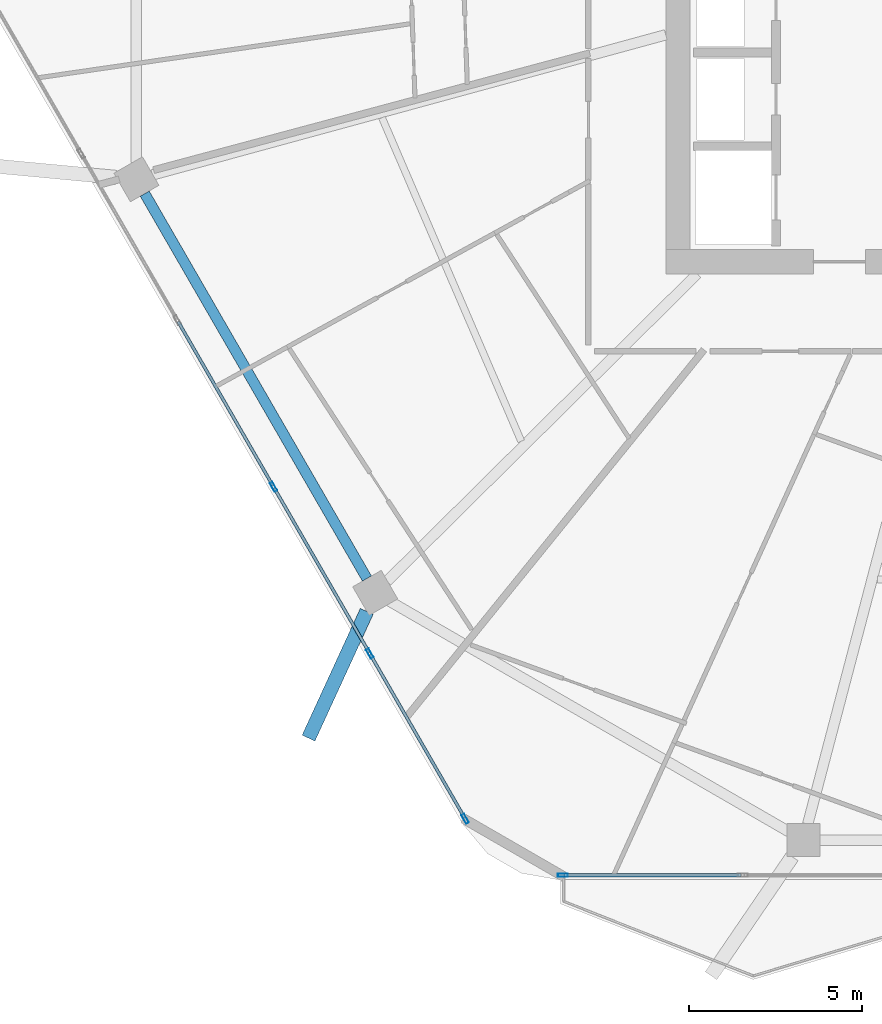
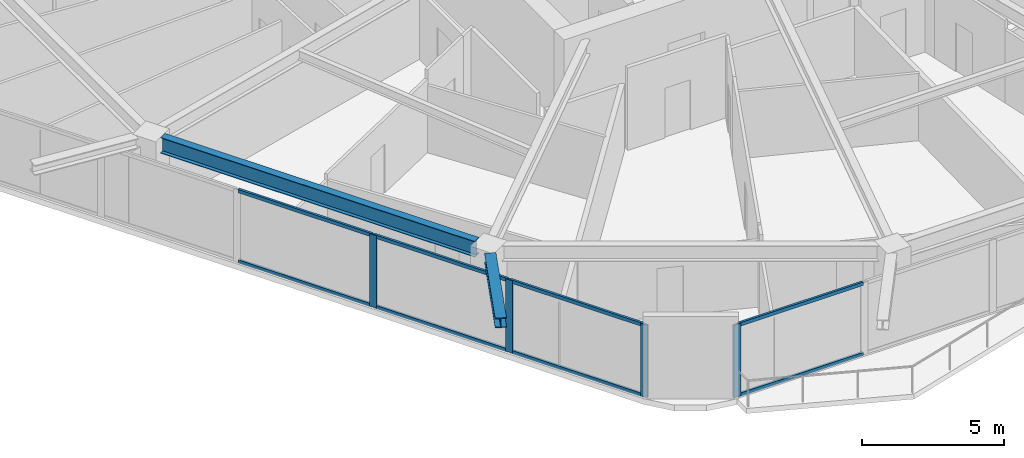
# One storey, part 2 of 27: 12 members, 2 beams, 2 elements without a shape of their own.
"""IFC4 building model written with IfcOpenShell, lengths in metres."""

from ifc_helpers import new_model, si_unit, direction, frame, origin, origin_2d, place, context, subcontext, project, spatial, hollow_rectangle, i_section, extrude, material, material_profile, profile_set, type_object, element, aggregate, save


model = new_model("IFC4")

# Units and contexts
model_context = context("Model", 3, precision=1e-05, world=origin(), true_north=direction((0.0, 1.0)))
body_context = subcontext(model_context, "Body", "Model", "MODEL_VIEW")
ifc_project = project(units=[si_unit("LENGTHUNIT", "METRE"), si_unit("AREAUNIT", "SQUARE_METRE"), si_unit("VOLUMEUNIT", "CUBIC_METRE"), si_unit("PLANEANGLEUNIT", "RADIAN"), si_unit("MASSUNIT", "GRAM", prefix="KILO")], contexts=[model_context])

# Site, building, storey
site_placement = place(None, origin())
site = spatial("IfcSite", under=ifc_project, at=site_placement, CompositionType="ELEMENT")
building_placement = place(site_placement, origin())
building = spatial("IfcBuilding", under=site, at=building_placement, Name="Zuhravey Tower", CompositionType="ELEMENT")
storey_placement = place(building_placement, frame((0.0, 0.0, 218.800048828125)))
storey = spatial("IfcBuildingStorey", under=building, at=storey_placement, Name="L55", CompositionType="ELEMENT", Elevation=218.800048828125)

# Curtain wall, member
ifc_material_1 = material(Name="Thermally broken anodised aluminium", Category="aluminium")
curtain_wall_type = type_object("IfcCurtainWallType", Name="Zone 1-2 Residential Curtain Wall CW3", PredefinedType="NOTDEFINED", material=ifc_material_1)
curtain_wall_1_placement = place(storey_placement, origin())
curtain_wall_1 = element("IfcCurtainWall", 1, at=curtain_wall_1_placement, inside=storey, type_object=curtain_wall_type, Name="L55 CW3 CW-L55-F5-2", PredefinedType="NOTDEFINED")
ifc_material_2 = material(Name="Anodised aluminium", Category="aluminium")
ifc_material_profile_1 = material_profile(ifc_material_2, hollow_rectangle(XDim=0.090087890625, YDim=0.284912109375, WallThickness=0.0048828125, at=origin_2d()), Name="ALU-RHS-90x285x5")
ifc_profile_set_1 = profile_set([ifc_material_profile_1], Name="Anodised aluminium")
member_type_1 = type_object("IfcMemberType", Name="Curtain-Wall Mullion 90x180", PredefinedType="MULLION", material=ifc_profile_set_1)
member_1_placement = place(storey_placement, frame((22.183837890625, 4.81689453125, 0.0), z_axis=(0.0, 0.0, 1.0), x_axis=(0.0, -1.0, 0.0)))
member_1 = element("IfcMember", 2, at=member_1_placement, type_object=member_type_1, Name="CW3 mullion 4", PredefinedType="MULLION", context=body_context, shape_type="SweptSolid", body=[
    extrude(hollow_rectangle(XDim=0.090087890625, YDim=0.284912109375, WallThickness=0.0048828125, at=origin_2d()), origin(), (0.0, 0.0, 1.0), 3.1220703125),
])

# Curtain wall, members
curtain_wall_2_placement = place(storey_placement, origin())
curtain_wall_2 = element("IfcCurtainWall", 3, at=curtain_wall_2_placement, inside=storey, type_object=curtain_wall_type, Name="L55 CW3 CW-L55-F4-1", PredefinedType="NOTDEFINED")
member_2_placement = place(storey_placement, frame((19.36669921875, 6.443359375, 0.0), z_axis=(0.0, 0.0, 1.0), x_axis=(-0.866025138215, -0.500000459979, 0.0)))
member_2 = element("IfcMember", 4, at=member_2_placement, type_object=member_type_1, Name="CW3 mullion 1", PredefinedType="MULLION", context=body_context, shape_type="SweptSolid", body=[
    extrude(hollow_rectangle(XDim=0.090087890625, YDim=0.284912109375, WallThickness=0.0048828125, at=origin_2d()), origin(), (0.0, 0.0, 1.0), 3.1220703125),
])
member_3_placement = place(storey_placement, frame((16.6171875, 11.2060546875, 0.0), z_axis=(0.0, 0.0, 1.0), x_axis=(-0.866025138215, -0.500000459979, 0.0)))
member_3 = element("IfcMember", 5, at=member_3_placement, type_object=member_type_1, Name="CW3 mullion 2", PredefinedType="MULLION", context=body_context, shape_type="SweptSolid", body=[
    extrude(hollow_rectangle(XDim=0.090087890625, YDim=0.284912109375, WallThickness=0.0048828125, at=origin_2d()), origin(), (0.0, 0.0, 1.0), 3.1220703125),
])
member_4_placement = place(storey_placement, frame((13.844970703125, 16.007568359375, 0.0), z_axis=(0.0, 0.0, 1.0), x_axis=(-0.866025138215, -0.500000459979, 0.0)))
member_4 = element("IfcMember", 6, at=member_4_placement, type_object=member_type_1, Name="CW3 mullion 3", PredefinedType="MULLION", context=body_context, shape_type="SweptSolid", body=[
    extrude(hollow_rectangle(XDim=0.090087890625, YDim=0.284912109375, WallThickness=0.0048828125, at=origin_2d()), origin(), (0.0, 0.0, 1.0), 3.1220703125),
])

# Member
ifc_material_profile_2 = material_profile(ifc_material_2, hollow_rectangle(XDim=0.090087890625, YDim=0.14990234375, WallThickness=0.0048828125, at=origin_2d()), Name="ALU-RHS-90x150x5")
ifc_profile_set_2 = profile_set([ifc_material_profile_2], Name="Anodised aluminium")
member_type_2 = type_object("IfcMemberType", Name="Curtain-Wall Transom 90x150", PredefinedType="USERDEFINED", material=ifc_profile_set_2)
member_5_placement = place(storey_placement, frame((27.32373046875, 4.81689453125, 0.044921875), z_axis=(-1.0, 0.0, 0.0), x_axis=(0.0, -1.0, 0.0)))
member_5 = element("IfcMember", 7, at=member_5_placement, type_object=member_type_2, Name="CW3 transom 3.1", ObjectType="TRANSOM", PredefinedType="USERDEFINED", context=body_context, shape_type="SweptSolid", body=[
    extrude(hollow_rectangle(XDim=0.090087890625, YDim=0.14990234375, WallThickness=0.0048828125, at=origin_2d()), origin(), (0.0, 0.0, 1.0), 5.0947265625),
])

member_6_placement = place(storey_placement, frame((27.32373046875, 4.81689453125, 3.076904296875), z_axis=(-1.0, 0.0, 0.0), x_axis=(0.0, -1.0, 0.0)))
member_6 = element("IfcMember", 8, at=member_6_placement, type_object=member_type_2, Name="CW3 transom 3.2", ObjectType="TRANSOM", PredefinedType="USERDEFINED", context=body_context, shape_type="SweptSolid", body=[
    extrude(hollow_rectangle(XDim=0.090087890625, YDim=0.14990234375, WallThickness=0.0048828125, at=origin_2d()), origin(), (0.0, 0.0, 1.0), 5.0947265625),
])

aggregate(curtain_wall_1, [member_1, member_5, member_6])

member_7_placement = place(storey_placement, frame((19.34423828125, 6.482421875, 0.044921875), z_axis=(-0.499993332629, 0.866029253159, 0.0), x_axis=(-0.866029253159, -0.499993332629, 0.0)))
member_7 = element("IfcMember", 9, at=member_7_placement, type_object=member_type_2, Name="CW3 transom 1.1", ObjectType="TRANSOM", PredefinedType="USERDEFINED", context=body_context, shape_type="SweptSolid", body=[
    extrude(hollow_rectangle(XDim=0.090087890625, YDim=0.14990234375, WallThickness=0.0048828125, at=origin_2d()), origin(), (0.0, 0.0, 1.0), 5.4091796875),
])

member_8_placement = place(storey_placement, frame((19.34423828125, 6.482421875, 3.076904296875), z_axis=(-0.499993332629, 0.866029253159, 0.0), x_axis=(-0.866029253159, -0.499993332629, 0.0)))
member_8 = element("IfcMember", 10, at=member_8_placement, type_object=member_type_2, Name="CW3 transom 1.2", ObjectType="TRANSOM", PredefinedType="USERDEFINED", context=body_context, shape_type="SweptSolid", body=[
    extrude(hollow_rectangle(XDim=0.090087890625, YDim=0.14990234375, WallThickness=0.0048828125, at=origin_2d()), origin(), (0.0, 0.0, 1.0), 5.4091796875),
])

member_9_placement = place(storey_placement, frame((16.594482421875, 11.244873046875, 0.044921875), z_axis=(-0.49996138257, 0.86604769842, 0.0), x_axis=(-0.86604769842, -0.49996138257, 0.0)))
member_9 = element("IfcMember", 11, at=member_9_placement, type_object=member_type_2, Name="CW3 transom 2.1", ObjectType="TRANSOM", PredefinedType="USERDEFINED", context=body_context, shape_type="SweptSolid", body=[
    extrude(hollow_rectangle(XDim=0.090087890625, YDim=0.14990234375, WallThickness=0.0048828125, at=origin_2d()), origin(), (0.0, 0.0, 1.0), 5.45458984375),
])

member_10_placement = place(storey_placement, frame((16.594482421875, 11.244873046875, 3.076904296875), z_axis=(-0.49996138257, 0.86604769842, 0.0), x_axis=(-0.86604769842, -0.49996138257, 0.0)))
member_10 = element("IfcMember", 12, at=member_10_placement, type_object=member_type_2, Name="CW3 transom 2.2", ObjectType="TRANSOM", PredefinedType="USERDEFINED", context=body_context, shape_type="SweptSolid", body=[
    extrude(hollow_rectangle(XDim=0.090087890625, YDim=0.14990234375, WallThickness=0.0048828125, at=origin_2d()), origin(), (0.0, 0.0, 1.0), 5.45458984375),
])

member_11_placement = place(storey_placement, frame((13.822265625, 16.046630859375, 0.044921875), z_axis=(-0.499980763544, 0.866036509673, 0.0), x_axis=(-0.866036509673, -0.499980763544, 0.0)))
member_11 = element("IfcMember", 13, at=member_11_placement, type_object=member_type_2, Name="CW3 transom 3.1", ObjectType="TRANSOM", PredefinedType="USERDEFINED", context=body_context, shape_type="SweptSolid", body=[
    extrude(hollow_rectangle(XDim=0.090087890625, YDim=0.14990234375, WallThickness=0.0048828125, at=origin_2d()), origin(), (0.0, 0.0, 1.0), 5.454345703125),
])

member_12_placement = place(storey_placement, frame((13.822265625, 16.046630859375, 3.076904296875), z_axis=(-0.499980763544, 0.866036509673, 0.0), x_axis=(-0.866036509673, -0.499980763544, 0.0)))
member_12 = element("IfcMember", 14, at=member_12_placement, type_object=member_type_2, Name="CW3 transom 3.2", ObjectType="TRANSOM", PredefinedType="USERDEFINED", context=body_context, shape_type="SweptSolid", body=[
    extrude(hollow_rectangle(XDim=0.090087890625, YDim=0.14990234375, WallThickness=0.0048828125, at=origin_2d()), origin(), (0.0, 0.0, 1.0), 5.454345703125),
])

aggregate(curtain_wall_2, [member_2, member_3, member_4, member_7, member_8, member_9, member_10, member_11, member_12])

# Beams
ifc_material_3 = material(Name="Steel SM460", Category="steel")
ifc_material_profile_3 = material_profile(ifc_material_3, i_section(OverallWidth=0.406982421875, OverallDepth=0.427978515625, WebThickness=0.02001953125, FlangeThickness=0.034912109375, at=origin_2d()), Name="H-428x407x20x35")
ifc_profile_set_3 = profile_set([ifc_material_profile_3], Name="Steel SM460")
beam_type_1 = type_object("IfcBeamType", Name="Exoskeleton Node Tie Beam H428x407", PredefinedType="BEAM", material=ifc_profile_set_3)
beam_1_placement = place(storey_placement, frame((16.52978515625, 12.420654296875, 3.3359375), z_axis=(-0.417281960524, -0.908777071355, 0.0), x_axis=(0.908777071355, -0.417281960524, 0.0)))
element("IfcBeam", 15, at=beam_1_placement, inside=storey, type_object=beam_type_1, Name="L55 Exoskeleton Node Tie NT1-08", PredefinedType="BEAM", context=body_context, shape_type="SweptSolid", body=[
    extrude(i_section(OverallWidth=0.406982421875, OverallDepth=0.427978515625, WebThickness=0.02001953125, FlangeThickness=0.034912109375, at=origin_2d()), origin(), (0.0, 0.0, 1.0), 4.02001953125),
])
ifc_material_4 = material(Name="Steel SM355", Category="steel")
ifc_material_profile_4 = material_profile(ifc_material_4, i_section(OverallWidth=0.300048828125, OverallDepth=0.679931640625, WebThickness=0.012939453125, FlangeThickness=0.02197265625, at=origin_2d()), Name="H-680x300x13x22")
ifc_profile_set_4 = profile_set([ifc_material_profile_4], Name="Steel SM355")
beam_type_2 = type_object("IfcBeamType", Name="Perimeter Ring Beam H680x300", PredefinedType="BEAM", material=ifc_profile_set_4)
beam_2_placement = place(storey_placement, frame((10.13134765625, 24.45947265625, 3.2099609375), z_axis=(0.500003505699, -0.866023379758, 0.0), x_axis=(0.866023379758, 0.500003505699, 0.0)))
element("IfcBeam", 16, at=beam_2_placement, inside=storey, type_object=beam_type_2, Name="L55 PB2 BM-L55-PB-07", PredefinedType="BEAM", context=body_context, shape_type="SweptSolid", body=[
    extrude(i_section(OverallWidth=0.300048828125, OverallDepth=0.679931640625, WebThickness=0.012939453125, FlangeThickness=0.02197265625, at=origin_2d()), origin(), (0.0, 0.0, 1.0), 12.80810546875),
])

save(model, "model.ifc")
